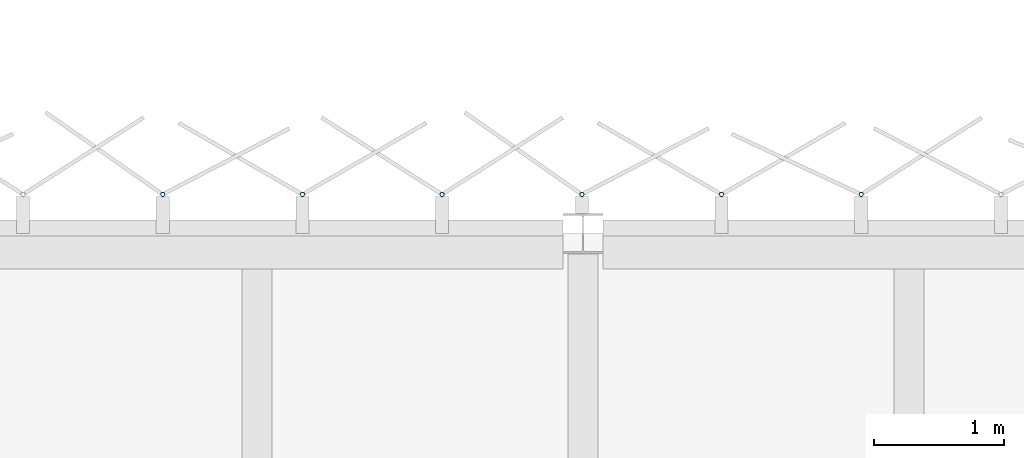
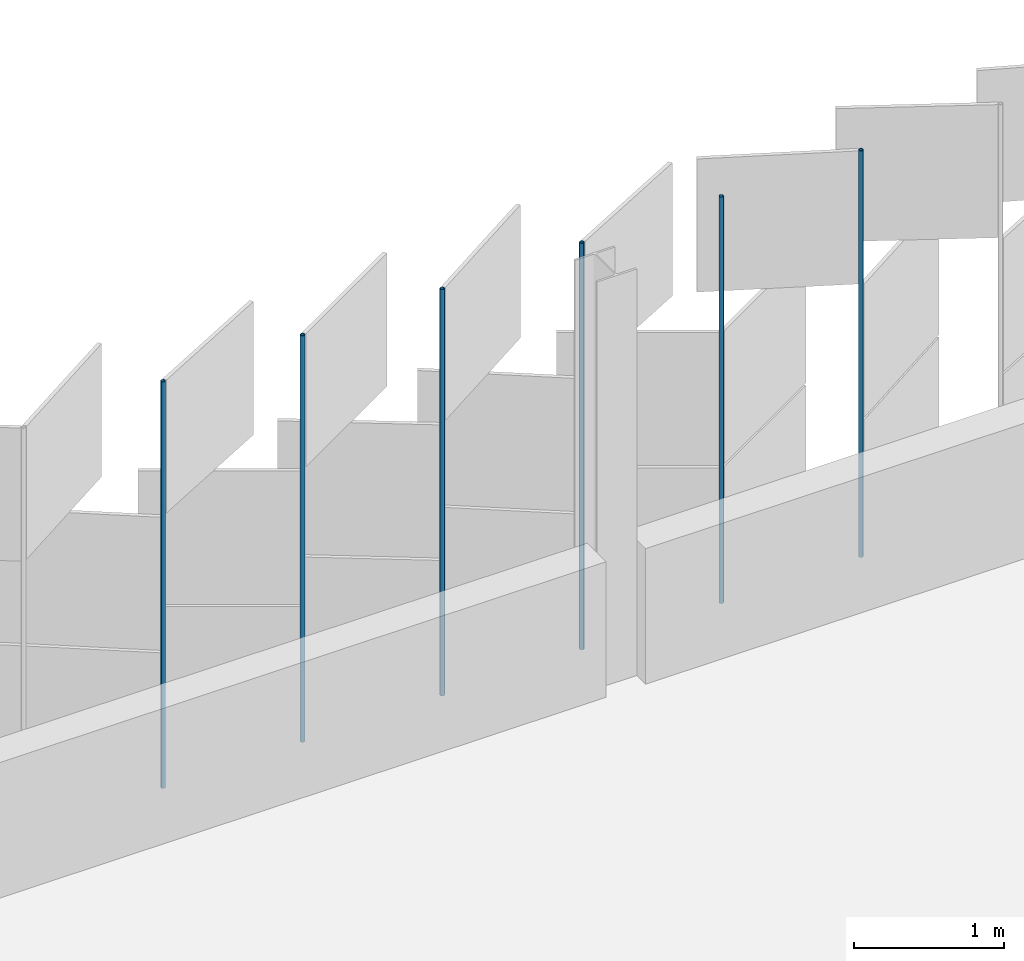
# One storey, part 142 of 198: 6 discrete accessories.
"""IFC4 building model written with IfcOpenShell, lengths in metres."""

from ifc_helpers import new_model, si_unit, direction, frame, origin, origin_2d, place, context, subcontext, project, spatial, hollow_circle, extrude, material, material_profile, profile_set, type_object, element, save


model = new_model("IFC4")

# Units and contexts
model_context = context("Model", 3, precision=1e-05, world=origin(), true_north=direction((0.0, 1.0)))
body_context = subcontext(model_context, "Body", "Model", "MODEL_VIEW")
ifc_project = project(units=[si_unit("LENGTHUNIT", "METRE"), si_unit("AREAUNIT", "SQUARE_METRE"), si_unit("VOLUMEUNIT", "CUBIC_METRE"), si_unit("PLANEANGLEUNIT", "RADIAN"), si_unit("MASSUNIT", "GRAM", prefix="KILO")], contexts=[model_context])

# Site, building, storey
site_placement = place(None, origin())
site = spatial("IfcSite", under=ifc_project, at=site_placement, CompositionType="ELEMENT")
building_placement = place(site_placement, origin())
building = spatial("IfcBuilding", under=site, at=building_placement, Name="Parallax Yard Mobility Hub", CompositionType="ELEMENT")
storey_placement = place(building_placement, frame((0.0, 0.0, 6.60009765625)))
storey = spatial("IfcBuildingStorey", under=building, at=storey_placement, Name="L02", CompositionType="ELEMENT", Elevation=6.60009765625)

# Discrete accessories
ifc_material = material(Name="Steel ASTM A500 Gr C, hot-dip galvanised", Category="steel")
ifc_material_profile = material_profile(ifc_material, hollow_circle(Radius=0.016845703125, WallThickness=0.003173828125, at=origin_2d()), Name="CHS 33.7x3.2")
ifc_profile_set = profile_set([ifc_material_profile], Name="Steel ASTM A500 Gr C, hot-dip galvanised")
discrete_accessory_type = type_object("IfcDiscreteAccessoryType", Name="Hinge post CHS 33.7x3.2", PredefinedType="BRACKET", material=ifc_profile_set)
for number, where, z_axis, x_axis, name in (
    (1, (84.63427734375, 142.800048828125, 0.0), (0.0, 0.0, 1.0), (1.0, 0.0, 0.0), "Hinge post bay 62.6 level L02"),
    (2, (83.562744140625, 142.800048828125, 0.0), (0.0, 0.0, 1.0), (1.0, 0.0, 0.0), "Hinge post bay 62.7 level L02"),
    (3, (82.4912109375, 142.800048828125, 0.0), (0.0, 0.0, 1.0), (1.0, 0.0, 0.0), "Hinge post bay 63.1 level L02"),
    (4, (81.419677734375, 142.800048828125, 0.0), (0.0, 0.0, 1.0), (1.0, 0.0, 0.0), "Hinge post bay 63.2 level L02"),
    (5, (80.34814453125, 142.800048828125, 0.0), (0.0, 0.0, 1.0), (1.0, 0.0, 0.0), "Hinge post bay 63.3 level L02"),
    (6, (79.276611328125, 142.800048828125, 0.0), (0.0, 0.0, 1.0), (1.0, 0.0, 0.0), "Hinge post bay 63.4 level L02"),
):
    element("IfcDiscreteAccessory", number, at=place(storey_placement, frame(where, z_axis=z_axis, x_axis=x_axis)), inside=storey, type_object=discrete_accessory_type, Name=name, PredefinedType="BRACKET", context=body_context, shape_type="SweptSolid", body=[
        extrude(hollow_circle(Radius=0.016845703125, WallThickness=0.003173828125, at=origin_2d()), origin(), (0.0, 0.0, 1.0), 3.2998046875),
    ])

save(model, "model.ifc")
